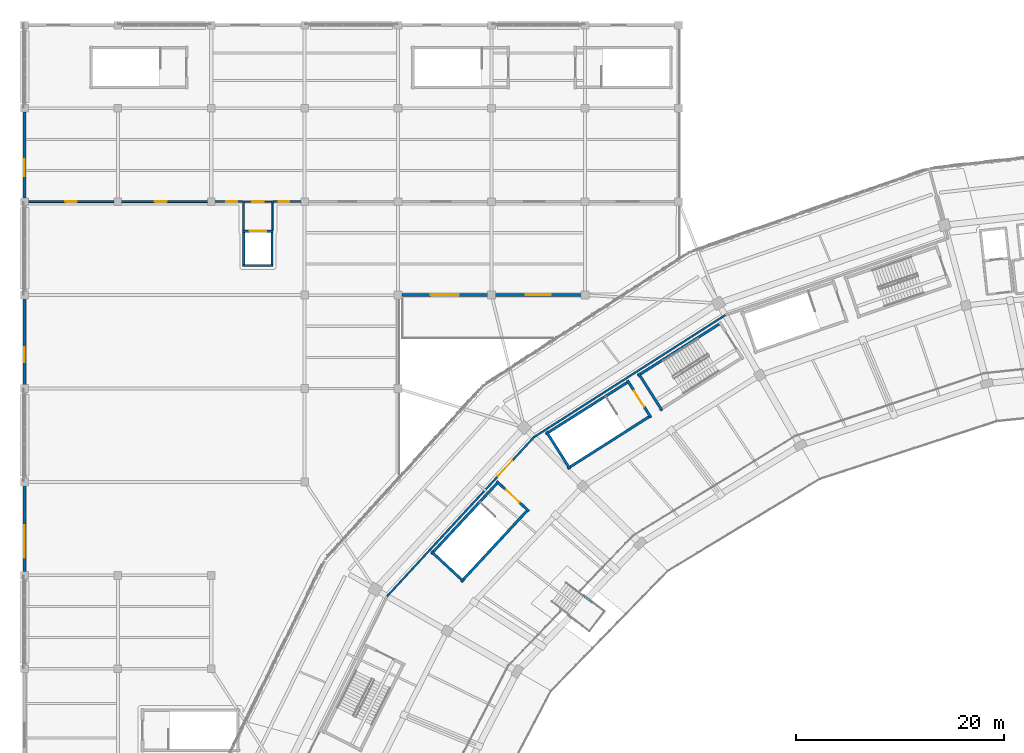
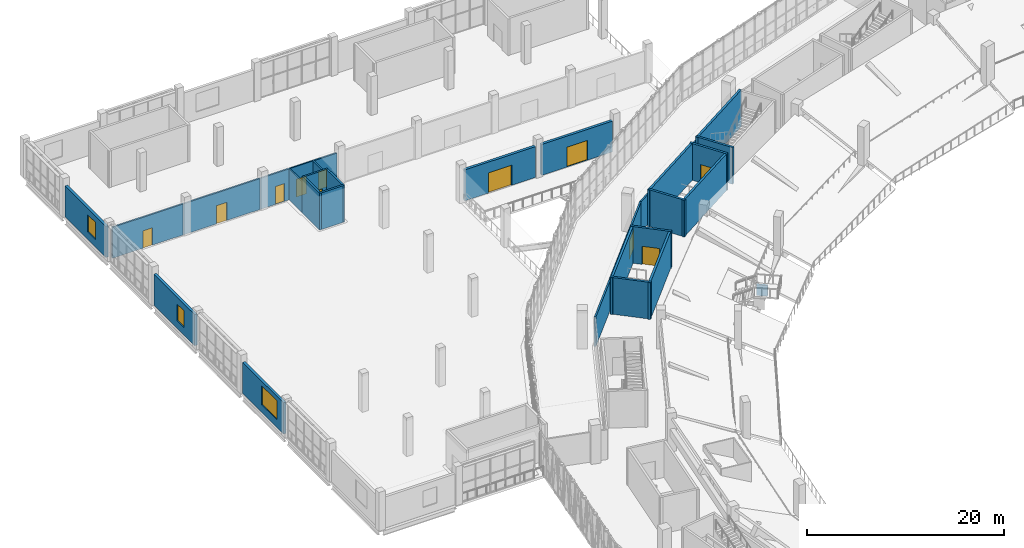
# One storey, part 98 of 152: 29 walls, 11 doors, 3 windows, 14 openings.
"""IFC4 building model written with IfcOpenShell, lengths in metres."""

import ifcopenshell
import ifcopenshell.guid

model = None  # the IFC model being written
_history = None  # IfcOwnerHistory: only IFC2X3 demands one
_inside = {}  # id of a spatial element -> (the spatial element, [elements in it])
_under = {}  # id of a project, library or spatial element -> (it, [spatial elements below it])
_declared = {}  # id of a project -> (the project, [libraries it declares])
_typed = {}  # id of a type object -> (the type object, [elements of that type])
_made_of = {}  # id of a material, layer set ... -> (it, [elements and type objects made of it])


def new_model(schema):
    """Start an empty IFC model of exactly this schema.

    Asked for "IFC4X3", IfcOpenShell would pick the latest addendum, in which some entities
    have other attributes; the version numbers below select the first issue.
    IFC2X3 requires an IfcOwnerHistory on every rooted entity: one is made here for all.
    """
    global model, _history
    if schema == "IFC4X3":
        model = ifcopenshell.file(schema_version=(4, 3, 0, 0))
    else:
        model = ifcopenshell.file(schema=schema)
    _inside.clear()
    _under.clear()
    _declared.clear()
    _typed.clear()
    _made_of.clear()
    _history = None
    if model.schema == "IFC2X3":
        org = make("IfcOrganization", Name="unknown")
        user = make(
            "IfcPersonAndOrganization",
            ThePerson=make("IfcPerson", FamilyName="unknown"),
            TheOrganization=org,
        )
        app = make(
            "IfcApplication",
            ApplicationDeveloper=org,
            Version="unknown",
            ApplicationFullName="unknown",
            ApplicationIdentifier="unknown",
        )
        _history = make(
            "IfcOwnerHistory",
            OwningUser=user,
            OwningApplication=app,
            ChangeAction="ADDED",
            CreationDate=0,
        )
    return model


def make(cls, **values):
    """One entity of the class cls with the attributes given. An attribute that is None is left unset."""
    return model.create_entity(
        cls, **{name: value for name, value in values.items() if value is not None}
    )


def rooted(cls, **values):
    """An entity with a GlobalId (a new one), such as an element, a storey or a relation."""
    return make(cls, GlobalId=ifcopenshell.guid.new(), OwnerHistory=_history, **values)


def si_unit(unit_type, name, prefix=None):
    """IfcSIUnit, for example si_unit("LENGTHUNIT", "METRE", prefix="MILLI")."""
    return make("IfcSIUnit", UnitType=unit_type, Prefix=prefix, Name=name)


def assignment(units):
    """IfcUnitAssignment: the units of a project."""
    return None if units is None else make("IfcUnitAssignment", Units=units)


def point(xyz):
    """IfcCartesianPoint."""
    return None if xyz is None else make("IfcCartesianPoint", Coordinates=xyz)


def direction(xyz):
    """IfcDirection."""
    return None if xyz is None else make("IfcDirection", DirectionRatios=xyz)


def frame(location, z_axis=None, x_axis=None):
    """IfcAxis2Placement3D, a coordinate frame: its origin and axes. An axis left out is left unset."""
    return make(
        "IfcAxis2Placement3D",
        Location=point(location),
        Axis=direction(z_axis),
        RefDirection=direction(x_axis),
    )


def frame_2d(location, x_axis=None):
    """IfcAxis2Placement2D, a coordinate frame in the plane: its origin and x axis."""
    return make(
        "IfcAxis2Placement2D", Location=point(location), RefDirection=direction(x_axis)
    )


def origin():
    """The frame at (0, 0, 0) with its axes left unset."""
    return frame((0.0, 0.0, 0.0))


def place(relative_to, where):
    """IfcLocalPlacement: puts the frame where relative to a parent placement (None: the world)."""
    return make(
        "IfcLocalPlacement", PlacementRelTo=relative_to, RelativePlacement=where
    )


def context(
    kind, dimensions, precision=None, world=None, true_north=None, identifier=None
):
    """IfcGeometricRepresentationContext, for example the 3D "Model" context."""
    return make(
        "IfcGeometricRepresentationContext",
        ContextIdentifier=identifier,
        ContextType=kind,
        CoordinateSpaceDimension=dimensions,
        Precision=precision,
        WorldCoordinateSystem=world,
        TrueNorth=true_north,
    )


def subcontext(parent, identifier, kind, view, scale=None):
    """IfcGeometricRepresentationSubContext, for example "Body" below "Model"."""
    return make(
        "IfcGeometricRepresentationSubContext",
        ContextIdentifier=identifier,
        ContextType=kind,
        ParentContext=parent,
        TargetScale=scale,
        TargetView=view,
    )


def project(units=None, contexts=None):
    """IfcProject with its units and contexts."""
    return rooted(
        "IfcProject",
        Name="project",
        RepresentationContexts=contexts,
        UnitsInContext=assignment(units),
    )


def spatial(cls, under=None, at=None, **own):
    """A site, building, storey or space (cls), placed at a placement, below another one or the project."""
    s = rooted(cls, ObjectPlacement=at, **own)
    if under is not None:
        _under.setdefault(under.id(), (under, []))[1].append(s)
    return s


def profile(cls, at=None, kind="AREA", **sizes):
    """A parametric profile (cls). Its sizes go by their IFC names, for example OverallWidth=200.0."""
    return make(cls, ProfileType=kind, Position=at, **sizes)


def rectangle(**sizes):
    """IfcRectangleProfileDef."""
    return profile("IfcRectangleProfileDef", **sizes)


def extrude(swept, where, along, depth):
    """IfcExtrudedAreaSolid: the profile swept, set in the frame where, extruded along a direction by depth."""
    return make(
        "IfcExtrudedAreaSolid",
        SweptArea=swept,
        Position=where,
        ExtrudedDirection=direction(along),
        Depth=depth,
    )


def shape(context_of_items, identifier, shape_type, items):
    """IfcShapeRepresentation: the items that make up one representation, for example the "Body"."""
    return make(
        "IfcShapeRepresentation",
        ContextOfItems=context_of_items,
        RepresentationIdentifier=identifier,
        RepresentationType=shape_type,
        Items=items,
    )


def material(Name=None, Category=None):
    """IfcMaterial."""
    return make("IfcMaterial", Name=Name, Category=Category)


def layer(
    of_material, thickness, ventilated=None, Name=None, Category=None, Priority=None
):
    """IfcMaterialLayer: one layer of a wall or slab, of a material (None: an air gap)."""
    return make(
        "IfcMaterialLayer",
        Material=of_material,
        LayerThickness=thickness,
        IsVentilated=ventilated,
        Name=Name,
        Category=Category,
        Priority=Priority,
    )


def layer_set(layers, Name=None):
    """IfcMaterialLayerSet."""
    return make("IfcMaterialLayerSet", MaterialLayers=layers, LayerSetName=Name)


def made_of(thing, what):
    """Note that an element or type object is made of a material, layer set ...; save() writes the relation."""
    if what is not None:
        _made_of.setdefault(what.id(), (what, []))[1].append(thing)
    return thing


def type_object(cls, material=None, **own):
    """A type object (cls), such as IfcWallType, which elements share."""
    return made_of(rooted(cls, **own), material)


def element(
    cls,
    number,
    at=None,
    inside=None,
    cuts=None,
    type_object=None,
    material=None,
    context=None,
    identifier="Body",
    shape_type=None,
    held_by="IfcProductDefinitionShape",
    body=None,
    shapes=None,
    **own,
):
    """One element of the class cls, such as IfcWall. Its Tag is "e" and its number.

    at: its placement. inside: the storey or other place that contains it. cuts: it is an
    opening in that element (IfcRelVoidsElement). A single representation is given by context,
    identifier, shape_type and body (its items); several are given by shapes. held_by: the class
    of the entity that holds the representations. save() writes the other relations.
    """
    e = rooted(cls, Tag="e%d" % number, ObjectPlacement=at, **own)
    if body is not None:
        shapes = [shape(context, identifier, shape_type, body)]
    if shapes is not None:
        e.Representation = make(held_by, Representations=shapes)
    if inside is not None:
        _inside.setdefault(inside.id(), (inside, []))[1].append(e)
    if cuts is not None:
        rooted(
            "IfcRelVoidsElement", RelatingBuildingElement=cuts, RelatedOpeningElement=e
        )
    if type_object is not None:
        _typed.setdefault(type_object.id(), (type_object, []))[1].append(e)
    return made_of(e, material)


def fill(opening, filler):
    """IfcRelFillsElement: the door or window that sits in an opening."""
    return rooted(
        "IfcRelFillsElement",
        RelatingOpeningElement=opening,
        RelatedBuildingElement=filler,
    )


def aggregate(whole, parts):
    """IfcRelAggregates: a whole, such as a stair, and the parts it consists of."""
    return rooted("IfcRelAggregates", RelatingObject=whole, RelatedObjects=parts)


def save(model, path):
    """Write the relations noted so far, then the file.

    IfcRelAggregates (storeys below a building ...), IfcRelContainedInSpatialStructure (elements
    in a storey), IfcRelDefinesByType, IfcRelAssociatesMaterial and IfcRelDeclares: one each for
    every whole, place, type object, material and project.
    """
    for whole, parts in _under.values():
        aggregate(whole, parts)
    for where, things in _inside.values():
        rooted(
            "IfcRelContainedInSpatialStructure",
            RelatedElements=things,
            RelatingStructure=where,
        )
    for kind, things in _typed.values():
        rooted("IfcRelDefinesByType", RelatedObjects=things, RelatingType=kind)
    for what, things in _made_of.values():
        rooted("IfcRelAssociatesMaterial", RelatedObjects=things, RelatingMaterial=what)
    for by, libraries in _declared.values():
        rooted("IfcRelDeclares", RelatingContext=by, RelatedDefinitions=libraries)
    model.write(path)


model = new_model("IFC4")

# Units and contexts
model_context = context("Model", 3, precision=1e-05, world=origin(), true_north=direction((0.0, 1.0)))
body_context = subcontext(model_context, "Body", "Model", "MODEL_VIEW")
ifc_project = project(units=[si_unit("LENGTHUNIT", "METRE"), si_unit("AREAUNIT", "SQUARE_METRE"), si_unit("VOLUMEUNIT", "CUBIC_METRE"), si_unit("PLANEANGLEUNIT", "RADIAN"), si_unit("MASSUNIT", "GRAM", prefix="KILO")], contexts=[model_context])

# Site, building, storey
site_placement = place(None, origin())
site = spatial("IfcSite", under=ifc_project, at=site_placement, CompositionType="ELEMENT")
building_placement = place(site_placement, origin())
building = spatial("IfcBuilding", under=site, at=building_placement, Name="Zevraka Park Crest Stadium", CompositionType="ELEMENT")
storey_placement = place(building_placement, frame((0.0, 0.0, 15.0)))
storey = spatial("IfcBuildingStorey", under=building, at=storey_placement, Name="L03", CompositionType="ELEMENT", Elevation=15.0)

# Wall, opening, window
ifc_material_1 = material(Name="Limestone and red clay brick masonry", Category="masonry")
ifc_layer_1 = layer(ifc_material_1, 0.300048828125)
ifc_layer_set_1 = layer_set([ifc_layer_1], Name="Limestone and red clay brick masonry")
wall_type_1 = type_object("IfcWallType", Name="EW02", PredefinedType="STANDARD", material=ifc_layer_set_1)
wall_1_placement = place(storey_placement, frame((0.0, 131.35009765625, 0.0), z_axis=(0.0, 0.0, 1.0), x_axis=(0.0, 1.0, 0.0)))
wall_1 = element("IfcWall", 1, at=wall_1_placement, inside=storey, type_object=wall_type_1, Name="Wing External Cavity Wall EW02 L03-NW-W-3", PredefinedType="STANDARD", context=body_context, shape_type="SweptSolid", body=[
    extrude(rectangle(XDim=8.2998046875, YDim=0.300048828125, at=frame_2d((4.14990234375, 0.0))), origin(), (0.0, 0.0, 1.0), 3.85693359375),
])
opening_1_placement = place(wall_1_placement, frame((1.35498046875, 0.0, 0.949951171875)))
opening_1 = element("IfcOpeningElement", 2, at=opening_1_placement, cuts=wall_1, Name="Opening WN36", PredefinedType="OPENING", context=body_context, shape_type="SweptSolid", body=[
    extrude(rectangle(XDim=3.10009765625, YDim=2.35009765625, at=frame_2d((1.550048828125, 1.175048828125))), frame((0.0, 0.159912109375, 0.0), z_axis=(0.0, -1.0, 0.0), x_axis=(1.0, 0.0, 0.0)), (0.0, 0.0, 1.0), 0.320068359375),
])
ifc_material_2 = material(Name="Solar-control laminated double glazing in aluminium frame", Category="aluminium")
window_type_1 = type_object("IfcWindowType", Name="WN36", PartitioningType="SINGLE_PANEL", PredefinedType="WINDOW", material=ifc_material_2)
window_1_placement = place(opening_1_placement, origin())
window_1 = element("IfcWindow", 3, at=window_1_placement, inside=storey, type_object=window_type_1, Name="Facade Casement Window WN36 W-L03-036", OverallHeight=2.35009765625, OverallWidth=3.10009765625, PartitioningType="SINGLE_PANEL", PredefinedType="WINDOW", context=body_context, shape_type="SweptSolid", body=[
    extrude(rectangle(XDim=3.10009765625, YDim=2.35009765625, at=frame_2d((1.550048828125, 1.175048828125))), frame((0.0, 0.030029296875, 0.0), z_axis=(0.0, -1.0, 0.0), x_axis=(1.0, 0.0, 0.0)), (0.0, 0.0, 1.0), 0.06005859375),
])
fill(opening_1, window_1)

wall_2_placement = place(storey_placement, frame((0.0, 149.35009765625, 0.0), z_axis=(0.0, 0.0, 1.0), x_axis=(0.0, 1.0, 0.0)))
wall_2 = element("IfcWall", 4, at=wall_2_placement, inside=storey, type_object=wall_type_1, Name="Wing External Cavity Wall EW02 L03-NW-W-5", PredefinedType="STANDARD", context=body_context, shape_type="SweptSolid", body=[
    extrude(rectangle(XDim=8.2998046875, YDim=0.300048828125, at=frame_2d((4.14990234375, 0.0))), origin(), (0.0, 0.0, 1.0), 3.85693359375),
])
opening_2_placement = place(wall_2_placement, frame((2.1650390625, 0.0, 0.949951171875)))
opening_2 = element("IfcOpeningElement", 5, at=opening_2_placement, cuts=wall_2, Name="Opening WN37", PredefinedType="OPENING", context=body_context, shape_type="SweptSolid", body=[
    extrude(rectangle(XDim=1.47998046875, YDim=2.050048828125, at=frame_2d((0.739990234375, 1.02490234375))), frame((0.0, 0.159912109375, 0.0), z_axis=(0.0, -1.0, 0.0), x_axis=(1.0, 0.0, 0.0)), (0.0, 0.0, 1.0), 0.320068359375),
])
ifc_material_3 = material(Name="Solar-control laminated double glazing in aluminium frame", Category="aluminium")
window_type_2 = type_object("IfcWindowType", Name="WN37", PartitioningType="SINGLE_PANEL", PredefinedType="WINDOW", material=ifc_material_3)
window_2_placement = place(opening_2_placement, origin())
window_2 = element("IfcWindow", 6, at=window_2_placement, inside=storey, type_object=window_type_2, Name="Facade Casement Window WN37 W-L03-037", OverallHeight=2.050048828125, OverallWidth=1.47998046875, PartitioningType="SINGLE_PANEL", PredefinedType="WINDOW", context=body_context, shape_type="SweptSolid", body=[
    extrude(rectangle(XDim=1.47998046875, YDim=2.050048828125, at=frame_2d((0.739990234375, 1.02490234375))), frame((0.0, 0.030029296875, 0.0), z_axis=(0.0, -1.0, 0.0), x_axis=(1.0, 0.0, 0.0)), (0.0, 0.0, 1.0), 0.06005859375),
])
fill(opening_2, window_2)

wall_3_placement = place(storey_placement, frame((0.0, 167.35009765625, 0.0), z_axis=(0.0, 0.0, 1.0), x_axis=(0.0, 1.0, 0.0)))
wall_3 = element("IfcWall", 7, at=wall_3_placement, inside=storey, type_object=wall_type_1, Name="Wing External Cavity Wall EW02 L03-NW-W-7", PredefinedType="STANDARD", context=body_context, shape_type="SweptSolid", body=[
    extrude(rectangle(XDim=8.2998046875, YDim=0.300048828125, at=frame_2d((4.14990234375, 0.0))), origin(), (0.0, 0.0, 1.0), 3.85693359375),
])
opening_3_placement = place(wall_3_placement, frame((2.094970703125, 0.0, 0.949951171875)))
opening_3 = element("IfcOpeningElement", 8, at=opening_3_placement, cuts=wall_3, Name="Opening WN38", PredefinedType="OPENING", context=body_context, shape_type="SweptSolid", body=[
    extrude(rectangle(XDim=1.6201171875, YDim=2.1201171875, at=frame_2d((0.81005859375, 1.06005859375))), frame((0.0, 0.159912109375, 0.0), z_axis=(0.0, -1.0, 0.0), x_axis=(1.0, 0.0, 0.0)), (0.0, 0.0, 1.0), 0.320068359375),
])
ifc_material_4 = material(Name="Solar-control laminated double glazing in aluminium frame", Category="aluminium")
window_type_3 = type_object("IfcWindowType", Name="WN38", PartitioningType="SINGLE_PANEL", PredefinedType="WINDOW", material=ifc_material_4)
window_3_placement = place(opening_3_placement, origin())
window_3 = element("IfcWindow", 9, at=window_3_placement, inside=storey, type_object=window_type_3, Name="Facade Casement Window WN38 W-L03-038", OverallHeight=2.1201171875, OverallWidth=1.6201171875, PartitioningType="SINGLE_PANEL", PredefinedType="WINDOW", context=body_context, shape_type="SweptSolid", body=[
    extrude(rectangle(XDim=1.6201171875, YDim=2.1201171875, at=frame_2d((0.81005859375, 1.06005859375))), frame((0.0, 0.030029296875, 0.0), z_axis=(0.0, -1.0, 0.0), x_axis=(1.0, 0.0, 0.0)), (0.0, 0.0, 1.0), 0.06005859375),
])
fill(opening_3, window_3)

# Wall, opening, door
wall_4_placement = place(storey_placement, frame((53.64990234375, 158.0, 0.0), z_axis=(0.0, 0.0, 1.0), x_axis=(-1.0, 0.0, 0.0)))
wall_4 = element("IfcWall", 10, at=wall_4_placement, inside=storey, type_object=wall_type_1, Name="Wing External Cavity Wall EW02 L03-NW-VER2-2", PredefinedType="STANDARD", context=body_context, shape_type="SweptSolid", body=[
    extrude(rectangle(XDim=8.2998046875, YDim=0.300048828125, at=frame_2d((4.14990234375, 0.0))), origin(), (0.0, 0.0, 1.0), 3.823486328125),
])
opening_4_placement = place(wall_4_placement, frame((2.949951171875, 0.0, 0.0)))
opening_4 = element("IfcOpeningElement", 11, at=opening_4_placement, cuts=wall_4, Name="Opening D-L03-VER-03", PredefinedType="OPENING", context=body_context, shape_type="SweptSolid", body=[
    extrude(rectangle(XDim=2.39990234375, YDim=2.449951171875, at=frame_2d((1.199951171875, 1.22509765625))), frame((0.0, 0.159912109375, 0.0), z_axis=(0.0, -1.0, 0.0), x_axis=(1.0, 0.0, 0.0)), (0.0, 0.0, 1.0), 0.320068359375),
])
ifc_material_5 = material(Name="Thermally broken architectural aluminium and safety glass", Category="aluminium")
door_type_1 = type_object("IfcDoorType", Name="ED07", OperationType="NOTDEFINED", PredefinedType="DOOR", material=ifc_material_5)
door_1_placement = place(opening_4_placement, origin())
door_1 = element("IfcDoor", 12, at=door_1_placement, inside=storey, type_object=door_type_1, Name="Outdoor Veranda Access Door D-L03-VER-03", OperationType="DOUBLE_DOOR_SINGLE_SWING", OverallHeight=2.449951171875, OverallWidth=2.39990234375, PredefinedType="DOOR", context=body_context, shape_type="SweptSolid", body=[
    extrude(rectangle(XDim=2.39990234375, YDim=2.449951171875, at=frame_2d((1.199951171875, 1.22509765625))), frame((0.0, 0.02490234375, 0.0), z_axis=(0.0, -1.0, 0.0), x_axis=(1.0, 0.0, 0.0)), (0.0, 0.0, 1.0), 0.050048828125),
])
fill(opening_4, door_1)

wall_5_placement = place(storey_placement, frame((44.64990234375, 158.0, 0.0), z_axis=(0.0, 0.0, 1.0), x_axis=(-1.0, 0.0, 0.0)))
wall_5 = element("IfcWall", 13, at=wall_5_placement, inside=storey, type_object=wall_type_1, Name="Wing External Cavity Wall EW02 L03-NW-VER2-3", PredefinedType="STANDARD", context=body_context, shape_type="SweptSolid", body=[
    extrude(rectangle(XDim=8.2998046875, YDim=0.300048828125, at=frame_2d((4.14990234375, 0.0))), origin(), (0.0, 0.0, 1.0), 3.823486328125),
])
opening_5_placement = place(wall_5_placement, frame((2.800048828125, 0.0, 0.0)))
opening_5 = element("IfcOpeningElement", 14, at=opening_5_placement, cuts=wall_5, Name="Opening D-L03-VER-04", PredefinedType="OPENING", context=body_context, shape_type="SweptSolid", body=[
    extrude(rectangle(XDim=2.699951171875, YDim=2.5, at=frame_2d((1.35009765625, 1.25))), frame((0.0, 0.159912109375, 0.0), z_axis=(0.0, -1.0, 0.0), x_axis=(1.0, 0.0, 0.0)), (0.0, 0.0, 1.0), 0.320068359375),
])
ifc_material_6 = material(Name="Thermally broken architectural aluminium and safety glass", Category="aluminium")
door_type_2 = type_object("IfcDoorType", Name="ED08", OperationType="NOTDEFINED", PredefinedType="DOOR", material=ifc_material_6)
door_2_placement = place(opening_5_placement, origin())
door_2 = element("IfcDoor", 15, at=door_2_placement, inside=storey, type_object=door_type_2, Name="Outdoor Veranda Access Door D-L03-VER-04", OperationType="DOUBLE_DOOR_SINGLE_SWING", OverallHeight=2.5, OverallWidth=2.699951171875, PredefinedType="DOOR", context=body_context, shape_type="SweptSolid", body=[
    extrude(rectangle(XDim=2.699951171875, YDim=2.5, at=frame_2d((1.35009765625, 1.25))), frame((0.0, 0.02490234375, 0.0), z_axis=(0.0, -1.0, 0.0), x_axis=(1.0, 0.0, 0.0)), (0.0, 0.0, 1.0), 0.050048828125),
])
fill(opening_5, door_2)

# Walls
ifc_material_7 = material(Name="Fire-rated twin-stud acoustic drywall", Category="other")
ifc_layer_2 = layer(ifc_material_7, 0.159912109375)
ifc_layer_set_2 = layer_set([ifc_layer_2], Name="Fire-rated twin-stud acoustic drywall")
wall_type_2 = type_object("IfcWallType", Name="IW02", PredefinedType="PARTITIONING", material=ifc_layer_set_2)
for number, where, z_axis, x_axis, name in (
    (16, (23.889892578125, 164.25, 0.0), (0.0, 0.0, 1.0), (0.0, 1.0, 0.0), "Goods Lift Lobby Wall IW02 GL01 L03 LEFT"),
    (17, (21.110107421875, 164.25, 0.0), (0.0, 0.0, 1.0), (0.0, 1.0, 0.0), "Goods Lift Lobby Wall IW02 GL01 L03 RIGHT"),
):
    element("IfcWall", number, at=place(storey_placement, frame(where, z_axis=z_axis, x_axis=x_axis)), inside=storey, type_object=wall_type_2, Name=name, PredefinedType="PARTITIONING", context=body_context, shape_type="SweptSolid", body=[
        extrude(rectangle(XDim=2.75, YDim=0.159912109375, at=frame_2d((1.375, 0.0))), origin(), (0.0, 0.0, 1.0), 3.823486328125),
    ])

# Wall, opening, door
wall_6_placement = place(storey_placement, frame((23.889892578125, 167.0, 0.0), z_axis=(0.0, 0.0, 1.0), x_axis=(-1.0, 0.0, 0.0)))
wall_6 = element("IfcWall", 18, at=wall_6_placement, inside=storey, type_object=wall_type_2, Name="Goods Lift Lobby Wall IW02 GL01 L03 FRONT", PredefinedType="PARTITIONING", context=body_context, shape_type="SweptSolid", body=[
    extrude(rectangle(XDim=2.77978515625, YDim=0.159912109375, at=frame_2d((1.389892578125, 0.0))), origin(), (0.0, 0.0, 1.0), 3.823486328125),
])
opening_6_placement = place(wall_6_placement, frame((0.81494140625, 0.0, 0.0)))
opening_6 = element("IfcOpeningElement", 19, at=opening_6_placement, cuts=wall_6, Name="Opening D-L03-332", PredefinedType="OPENING", context=body_context, shape_type="SweptSolid", body=[
    extrude(rectangle(XDim=1.14990234375, YDim=2.199951171875, at=frame_2d((0.574951171875, 1.10009765625))), frame((0.0, 0.08984375, 0.0), z_axis=(0.0, -1.0, 0.0), x_axis=(1.0, 0.0, 0.0)), (0.0, 0.0, 1.0), 0.179931640625),
])
ifc_material_8 = material(Name="Solid-core hardwood timber leaf in steel frame", Category="steel")
door_type_3 = type_object("IfcDoorType", Name="DR03", OperationType="NOTDEFINED", PredefinedType="DOOR", material=ifc_material_8)
door_3_placement = place(opening_6_placement, origin())
door_3 = element("IfcDoor", 20, at=door_3_placement, inside=storey, type_object=door_type_3, Name="Goods Lift Lobby GL01 Door D-L03-332", OperationType="SINGLE_SWING_RIGHT", OverallHeight=2.199951171875, OverallWidth=1.14990234375, PredefinedType="DOOR", context=body_context, shape_type="SweptSolid", body=[
    extrude(rectangle(XDim=1.14990234375, YDim=2.199951171875, at=frame_2d((0.574951171875, 1.10009765625))), frame((0.0, 0.02490234375, 0.0), z_axis=(0.0, -1.0, 0.0), x_axis=(1.0, 0.0, 0.0)), (0.0, 0.0, 1.0), 0.050048828125),
])
fill(opening_6, door_3)

# Wall
ifc_material_9 = material(Name="Fire-rated twin-stud acoustic drywall", Category="other")
ifc_layer_3 = layer(ifc_material_9, 0.179931640625)
ifc_layer_set_3 = layer_set([ifc_layer_3], Name="Fire-rated twin-stud acoustic drywall")
wall_type_3 = type_object("IfcWallType", Name="IW06", PredefinedType="PARTITIONING", material=ifc_layer_set_3)
wall_7_placement = place(storey_placement, frame((67.510009765625, 156.069091796875, 0.0), z_axis=(0.0, 0.0, 1.0), x_axis=(-0.843035459997, -0.537857986077, 0.0)))
element("IfcWall", 21, at=wall_7_placement, inside=storey, type_object=wall_type_3, Name="Interior Partition IW06 Park View Supporter Bar L03", PredefinedType="PARTITIONING", context=body_context, shape_type="SweptSolid", body=[
    extrude(rectangle(XDim=21.859130859375, YDim=0.179931640625, at=frame_2d((10.9296875, 0.0))), origin(), (0.0, 0.0, 1.0), 3.6650390625),
])

# Wall, opening, door
wall_8_placement = place(storey_placement, frame((49.08203125, 144.31201171875, 0.0), z_axis=(0.0, 0.0, 1.0), x_axis=(-0.678220768878, -0.734858209903, 0.0)))
wall_8 = element("IfcWall", 22, at=wall_8_placement, inside=storey, type_object=wall_type_3, Name="Interior Partition IW06 Park View Supporter Bar L03", PredefinedType="PARTITIONING", context=body_context, shape_type="SweptSolid", body=[
    extrude(rectangle(XDim=20.850341796875, YDim=0.179931640625, at=frame_2d((10.42529296875, 0.0))), origin(), (0.0, 0.0, 1.0), 3.6650390625),
])
opening_7_placement = place(wall_8_placement, frame((3.096923828125, 0.0, 0.0)))
opening_7 = element("IfcOpeningElement", 23, at=opening_7_placement, cuts=wall_8, Name="Opening D-L03-443", PredefinedType="OPENING", context=body_context, shape_type="SweptSolid", body=[
    extrude(rectangle(XDim=2.0, YDim=2.300048828125, at=frame_2d((1.0, 1.14990234375))), frame((0.0, 0.099853515625, 0.0), z_axis=(0.0, -1.0, 0.0), x_axis=(1.0, 0.0, 0.0)), (0.0, 0.0, 1.0), 0.199951171875),
])
ifc_material_10 = material(Name="Solid-core hardwood timber leaf in steel frame", Category="steel")
door_type_4 = type_object("IfcDoorType", Name="DR16", OperationType="NOTDEFINED", PredefinedType="DOOR", material=ifc_material_10)
door_4_placement = place(opening_7_placement, origin())
door_4 = element("IfcDoor", 24, at=door_4_placement, inside=storey, type_object=door_type_4, Name="Park View Supporter Bar Door D-L03-443", OperationType="DOUBLE_DOOR_SINGLE_SWING", OverallHeight=2.300048828125, OverallWidth=2.0, PredefinedType="DOOR", context=body_context, shape_type="SweptSolid", body=[
    extrude(rectangle(XDim=2.0, YDim=2.300048828125, at=frame_2d((1.0, 1.14990234375))), frame((0.0, 0.02490234375, 0.0), z_axis=(0.0, -1.0, 0.0), x_axis=(1.0, 0.0, 0.0)), (0.0, 0.0, 1.0), 0.050048828125),
])
fill(opening_7, door_4)

wall_9_placement = place(storey_placement, frame((0.360107421875, 167.0, 0.0), z_axis=(0.0, 0.0, 1.0), x_axis=(1.0, 0.0, 0.0)))
wall_9 = element("IfcWall", 25, at=wall_9_placement, inside=storey, type_object=wall_type_3, Name="Interior Partition IW06 Garden-Court Veranda Viewing Lounge L03", PredefinedType="PARTITIONING", context=body_context, shape_type="SweptSolid", body=[
    extrude(rectangle(XDim=8.27978515625, YDim=0.179931640625, at=frame_2d((4.139892578125, 0.0))), origin(), (0.0, 0.0, 1.0), 3.823486328125),
])
opening_8_placement = place(wall_9_placement, frame((3.590087890625, 0.0, 0.0)))
opening_8 = element("IfcOpeningElement", 26, at=opening_8_placement, cuts=wall_9, Name="Opening D-L03-454", PredefinedType="OPENING", context=body_context, shape_type="SweptSolid", body=[
    extrude(rectangle(XDim=1.10009765625, YDim=2.14990234375, at=frame_2d((0.550048828125, 1.074951171875))), frame((0.0, 0.099853515625, 0.0), z_axis=(0.0, -1.0, 0.0), x_axis=(1.0, 0.0, 0.0)), (0.0, 0.0, 1.0), 0.199951171875),
])
ifc_material_11 = material(Name="Solid-core hardwood timber leaf in steel frame", Category="steel")
door_type_5 = type_object("IfcDoorType", Name="DR10", OperationType="NOTDEFINED", PredefinedType="DOOR", material=ifc_material_11)
door_5_placement = place(opening_8_placement, origin())
door_5 = element("IfcDoor", 27, at=door_5_placement, inside=storey, type_object=door_type_5, Name="Garden-Court Veranda Viewing Lounge Door D-L03-454", OperationType="SINGLE_SWING_LEFT", OverallHeight=2.14990234375, OverallWidth=1.10009765625, PredefinedType="DOOR", context=body_context, shape_type="SweptSolid", body=[
    extrude(rectangle(XDim=1.10009765625, YDim=2.14990234375, at=frame_2d((0.550048828125, 1.074951171875))), frame((0.0, 0.02490234375, 0.0), z_axis=(0.0, -1.0, 0.0), x_axis=(1.0, 0.0, 0.0)), (0.0, 0.0, 1.0), 0.050048828125),
])
fill(opening_8, door_5)

wall_10_placement = place(storey_placement, frame((8.625, 167.0, 0.0), z_axis=(0.0, 0.0, 1.0), x_axis=(1.0, 0.0, 0.0)))
wall_10 = element("IfcWall", 28, at=wall_10_placement, inside=storey, type_object=wall_type_3, Name="Interior Partition IW06 Garden-Court Veranda Viewing Lounge L03", PredefinedType="PARTITIONING", context=body_context, shape_type="SweptSolid", body=[
    extrude(rectangle(XDim=9.014892578125, YDim=0.179931640625, at=frame_2d((4.50732421875, 0.0))), origin(), (0.0, 0.0, 1.0), 3.823486328125),
])
opening_9_placement = place(wall_10_placement, frame((3.907958984375, 0.0, 0.0)))
opening_9 = element("IfcOpeningElement", 29, at=opening_9_placement, cuts=wall_10, Name="Opening D-L03-455", PredefinedType="OPENING", context=body_context, shape_type="SweptSolid", body=[
    extrude(rectangle(XDim=1.199951171875, YDim=2.25, at=frame_2d((0.60009765625, 1.125))), frame((0.0, 0.099853515625, 0.0), z_axis=(0.0, -1.0, 0.0), x_axis=(1.0, 0.0, 0.0)), (0.0, 0.0, 1.0), 0.199951171875),
])
ifc_material_12 = material(Name="Solid-core hardwood timber leaf in steel frame", Category="steel")
door_type_6 = type_object("IfcDoorType", Name="DR11", OperationType="NOTDEFINED", PredefinedType="DOOR", material=ifc_material_12)
door_6_placement = place(opening_9_placement, origin())
door_6 = element("IfcDoor", 30, at=door_6_placement, inside=storey, type_object=door_type_6, Name="Garden-Court Veranda Viewing Lounge Door D-L03-455", OperationType="SINGLE_SWING_RIGHT", OverallHeight=2.25, OverallWidth=1.199951171875, PredefinedType="DOOR", context=body_context, shape_type="SweptSolid", body=[
    extrude(rectangle(XDim=1.199951171875, YDim=2.25, at=frame_2d((0.60009765625, 1.125))), frame((0.0, 0.02490234375, 0.0), z_axis=(0.0, -1.0, 0.0), x_axis=(1.0, 0.0, 0.0)), (0.0, 0.0, 1.0), 0.050048828125),
])
fill(opening_9, door_6)

wall_11_placement = place(storey_placement, frame((17.625, 167.0, 0.0), z_axis=(0.0, 0.0, 1.0), x_axis=(1.0, 0.0, 0.0)))
wall_11 = element("IfcWall", 31, at=wall_11_placement, inside=storey, type_object=wall_type_3, Name="Interior Partition IW06 Garden-Court Veranda Viewing Lounge L03", PredefinedType="PARTITIONING", context=body_context, shape_type="SweptSolid", body=[
    extrude(rectangle(XDim=3.405029296875, YDim=0.179931640625, at=frame_2d((1.70263671875, 0.0))), origin(), (0.0, 0.0, 1.0), 3.823486328125),
])
opening_10_placement = place(wall_11_placement, frame((1.841064453125, 0.0, 0.0)))
opening_10 = element("IfcOpeningElement", 32, at=opening_10_placement, cuts=wall_11, Name="Opening D-L03-456", PredefinedType="OPENING", context=body_context, shape_type="SweptSolid", body=[
    extrude(rectangle(XDim=1.02001953125, YDim=2.199951171875, at=frame_2d((0.510009765625, 1.10009765625))), frame((0.0, 0.099853515625, 0.0), z_axis=(0.0, -1.0, 0.0), x_axis=(1.0, 0.0, 0.0)), (0.0, 0.0, 1.0), 0.199951171875),
])
ifc_material_13 = material(Name="Solid-core hardwood timber leaf in steel frame", Category="steel")
door_type_7 = type_object("IfcDoorType", Name="DR21", OperationType="NOTDEFINED", PredefinedType="DOOR", material=ifc_material_13)
door_7_placement = place(opening_10_placement, origin())
door_7 = element("IfcDoor", 33, at=door_7_placement, inside=storey, type_object=door_type_7, Name="Garden-Court Veranda Viewing Lounge Door D-L03-456", OperationType="SINGLE_SWING_LEFT", OverallHeight=2.199951171875, OverallWidth=1.02001953125, PredefinedType="DOOR", context=body_context, shape_type="SweptSolid", body=[
    extrude(rectangle(XDim=1.02001953125, YDim=2.199951171875, at=frame_2d((0.510009765625, 1.10009765625))), frame((0.0, 0.02490234375, 0.0), z_axis=(0.0, -1.0, 0.0), x_axis=(1.0, 0.0, 0.0)), (0.0, 0.0, 1.0), 0.050048828125),
])
fill(opening_10, door_7)

wall_12_placement = place(storey_placement, frame((23.969970703125, 167.0, 0.0), z_axis=(0.0, 0.0, 1.0), x_axis=(1.0, 0.0, 0.0)))
wall_12 = element("IfcWall", 34, at=wall_12_placement, inside=storey, type_object=wall_type_3, Name="Interior Partition IW06 Garden-Court Veranda Viewing Lounge L03", PredefinedType="PARTITIONING", context=body_context, shape_type="SweptSolid", body=[
    extrude(rectangle(XDim=2.669921875, YDim=0.179931640625, at=frame_2d((1.3349609375, 0.0))), origin(), (0.0, 0.0, 1.0), 3.823486328125),
])
opening_11_placement = place(wall_12_placement, frame((0.52294921875, 0.0, 0.0)))
opening_11 = element("IfcOpeningElement", 35, at=opening_11_placement, cuts=wall_12, Name="Opening D-L03-457", PredefinedType="OPENING", context=body_context, shape_type="SweptSolid", body=[
    extrude(rectangle(XDim=1.02001953125, YDim=2.199951171875, at=frame_2d((0.510009765625, 1.10009765625))), frame((0.0, 0.099853515625, 0.0), z_axis=(0.0, -1.0, 0.0), x_axis=(1.0, 0.0, 0.0)), (0.0, 0.0, 1.0), 0.199951171875),
])
door_8_placement = place(opening_11_placement, origin())
door_8 = element("IfcDoor", 36, at=door_8_placement, inside=storey, type_object=door_type_7, Name="Garden-Court Veranda Viewing Lounge Door D-L03-457", OperationType="SINGLE_SWING_RIGHT", OverallHeight=2.199951171875, OverallWidth=1.02001953125, PredefinedType="DOOR", context=body_context, shape_type="SweptSolid", body=[
    extrude(rectangle(XDim=1.02001953125, YDim=2.199951171875, at=frame_2d((0.510009765625, 1.10009765625))), frame((0.0, 0.02490234375, 0.0), z_axis=(0.0, -1.0, 0.0), x_axis=(1.0, 0.0, 0.0)), (0.0, 0.0, 1.0), 0.050048828125),
])
fill(opening_11, door_8)

# Walls
ifc_material_14 = material(Name="Concrete C40/50", Category="concrete")
ifc_layer_4 = layer(ifc_material_14, 0.25)
ifc_layer_set_4 = layer_set([ifc_layer_4], Name="Concrete C40/50")
wall_type_4 = type_object("IfcWallType", Name="SW01", PredefinedType="SHEAR", material=ifc_layer_set_4)
wall_13_placement = place(storey_placement, frame((67.147216796875, 155.343505859375, 0.0), z_axis=(0.0, 0.0, 1.0), x_axis=(-0.844391246241, -0.535727004427, 0.0)))
element("IfcWall", 37, at=wall_13_placement, inside=storey, type_object=wall_type_4, Name="Stair Core Shear Wall SW01 ST09 L03 left", PredefinedType="SHEAR", context=body_context, shape_type="SweptSolid", body=[
    extrude(rectangle(XDim=9.550048828125, YDim=0.25, at=frame_2d((4.77490234375, 0.0))), origin(), (0.0, 0.0, 1.0), 4.5400390625),
])
wall_14_placement = place(storey_placement, frame((59.1484375, 150.469970703125, 0.0), z_axis=(0.0, 0.0, 1.0), x_axis=(0.53572544074, -0.844392238325, 0.0)))
element("IfcWall", 38, at=wall_14_placement, inside=storey, type_object=wall_type_4, Name="Stair Core Shear Wall SW01 ST09 L03 far", PredefinedType="SHEAR", context=body_context, shape_type="SweptSolid", body=[
    extrude(rectangle(XDim=4.260009765625, YDim=0.25, at=frame_2d((2.1298828125, 0.0))), origin(), (0.0, 0.0, 1.0), 4.5400390625),
])
wall_15_placement = place(storey_placement, frame((45.6943359375, 140.047607421875, 0.0), z_axis=(0.0, 0.0, 1.0), x_axis=(-0.680257902718, -0.7329728411, 0.0)))
element("IfcWall", 39, at=wall_15_placement, inside=storey, type_object=wall_type_4, Name="Stair Core Shear Wall SW01 ST10 L03 left", PredefinedType="SHEAR", context=body_context, shape_type="SweptSolid", body=[
    extrude(rectangle(XDim=9.5498046875, YDim=0.25, at=frame_2d((4.77490234375, 0.0))), origin(), (0.0, 0.0, 1.0), 4.5400390625),
])
wall_16_placement = place(storey_placement, frame((42.0712890625, 130.381103515625, 0.0), z_axis=(0.0, 0.0, 1.0), x_axis=(0.680245155897, 0.732984670971, 0.0)))
element("IfcWall", 40, at=wall_16_placement, inside=storey, type_object=wall_type_4, Name="Stair Core Shear Wall SW01 ST10 L03 right", PredefinedType="SHEAR", context=body_context, shape_type="SweptSolid", body=[
    extrude(rectangle(XDim=9.550048828125, YDim=0.25, at=frame_2d((4.77490234375, 0.0))), origin(), (0.0, 0.0, 1.0), 4.5400390625),
])

# Wall, opening, door
wall_17_placement = place(storey_placement, frame((48.607177734375, 137.173828125, 0.0), z_axis=(0.0, 0.0, 1.0), x_axis=(-0.73295064559, 0.680281817433, 0.0)))
wall_17 = element("IfcWall", 41, at=wall_17_placement, inside=storey, type_object=wall_type_4, Name="Stair Core Shear Wall SW01 ST10 L03 near", PredefinedType="SHEAR", context=body_context, shape_type="SweptSolid", body=[
    extrude(rectangle(XDim=4.260009765625, YDim=0.25, at=frame_2d((2.1298828125, 0.0))), origin(), (0.0, 0.0, 1.0), 4.5400390625),
])
opening_12_placement = place(wall_17_placement, frame((1.22998046875, 0.0, 0.0)))
opening_12 = element("IfcOpeningElement", 42, at=opening_12_placement, cuts=wall_17, Name="Opening D-L03-061", PredefinedType="OPENING", context=body_context, shape_type="SweptSolid", body=[
    extrude(rectangle(XDim=1.800048828125, YDim=2.25, at=frame_2d((0.89990234375, 1.125))), frame((0.0, 0.135009765625, 0.0), z_axis=(0.0, -1.0, 0.0), x_axis=(1.0, 0.0, 0.0)), (0.0, 0.0, 1.0), 0.27001953125),
])
ifc_material_15 = material(Name="Solid-core hardwood timber leaf in steel frame", Category="steel")
door_type_8 = type_object("IfcDoorType", Name="DR04", OperationType="NOTDEFINED", PredefinedType="DOOR", material=ifc_material_15)
door_9_placement = place(opening_12_placement, origin())
door_9 = element("IfcDoor", 43, at=door_9_placement, inside=storey, type_object=door_type_8, Name="Protected Stair Entry Door ST10 L03", OperationType="DOUBLE_DOOR_SINGLE_SWING", OverallHeight=2.25, OverallWidth=1.800048828125, PredefinedType="DOOR", context=body_context, shape_type="SweptSolid", body=[
    extrude(rectangle(XDim=1.800048828125, YDim=2.25, at=frame_2d((0.89990234375, 1.125))), frame((0.0, 0.02490234375, 0.0), z_axis=(0.0, -1.0, 0.0), x_axis=(1.0, 0.0, 0.0)), (0.0, 0.0, 1.0), 0.050048828125),
])
fill(opening_12, door_9)

# Walls
wall_18_placement = place(storey_placement, frame((39.19921875, 133.299072265625, 0.0), z_axis=(0.0, 0.0, 1.0), x_axis=(0.732977166505, -0.680253242096, 0.0)))
element("IfcWall", 44, at=wall_18_placement, inside=storey, type_object=wall_type_4, Name="Stair Core Shear Wall SW01 ST10 L03 far", PredefinedType="SHEAR", context=body_context, shape_type="SweptSolid", body=[
    extrude(rectangle(XDim=4.260009765625, YDim=0.25, at=frame_2d((2.1298828125, 0.0))), origin(), (0.0, 0.0, 1.0), 4.5400390625),
])
for number, where, z_axis, x_axis, name in (
    (45, (58.28125, 149.718505859375, 0.0), (0.0, 0.0, 1.0), (-0.844391246241, -0.535727004427, 0.0), "Stair Core Shear Wall SW01 ST28 L03 left"),
    (46, (52.3173828125, 141.292236328125, 0.0), (0.0, 0.0, 1.0), (0.844391246241, 0.535727004427, 0.0), "Stair Core Shear Wall SW01 ST28 L03 right"),
):
    element("IfcWall", number, at=place(storey_placement, frame(where, z_axis=z_axis, x_axis=x_axis)), inside=storey, type_object=wall_type_4, Name=name, PredefinedType="SHEAR", context=body_context, shape_type="SweptSolid", body=[
        extrude(rectangle(XDim=9.550048828125, YDim=0.25, at=frame_2d((4.77490234375, 0.0))), origin(), (0.0, 0.0, 1.0), 4.5400390625),
    ])

# Wall, opening, door
wall_19_placement = place(storey_placement, frame((60.36669921875, 146.197998046875, 0.0), z_axis=(0.0, 0.0, 1.0), x_axis=(-0.535684577572, 0.844418162613, 0.0)))
wall_19 = element("IfcWall", 47, at=wall_19_placement, inside=storey, type_object=wall_type_4, Name="Stair Core Shear Wall SW01 ST28 L03 near", PredefinedType="SHEAR", context=body_context, shape_type="SweptSolid", body=[
    extrude(rectangle(XDim=4.260009765625, YDim=0.25, at=frame_2d((2.1298828125, 0.0))), origin(), (0.0, 0.0, 1.0), 4.5400390625),
])
opening_13_placement = place(wall_19_placement, frame((1.22998046875, 0.0, 0.0)))
opening_13 = element("IfcOpeningElement", 48, at=opening_13_placement, cuts=wall_19, Name="Opening D-L03-164", PredefinedType="OPENING", context=body_context, shape_type="SweptSolid", body=[
    extrude(rectangle(XDim=1.800048828125, YDim=2.25, at=frame_2d((0.89990234375, 1.125))), frame((0.0, 0.135009765625, 0.0), z_axis=(0.0, -1.0, 0.0), x_axis=(1.0, 0.0, 0.0)), (0.0, 0.0, 1.0), 0.27001953125),
])
door_10_placement = place(opening_13_placement, origin())
door_10 = element("IfcDoor", 49, at=door_10_placement, inside=storey, type_object=door_type_8, Name="Protected Stair Entry Door ST28 L03", OperationType="DOUBLE_DOOR_SINGLE_SWING", OverallHeight=2.25, OverallWidth=1.800048828125, PredefinedType="DOOR", context=body_context, shape_type="SweptSolid", body=[
    extrude(rectangle(XDim=1.800048828125, YDim=2.25, at=frame_2d((0.89990234375, 1.125))), frame((0.0, 0.02490234375, 0.0), z_axis=(0.0, -1.0, 0.0), x_axis=(1.0, 0.0, 0.0)), (0.0, 0.0, 1.0), 0.050048828125),
])
fill(opening_13, door_10)

# Walls
wall_20_placement = place(storey_placement, frame((50.282470703125, 144.844970703125, 0.0), z_axis=(0.0, 0.0, 1.0), x_axis=(0.535684577572, -0.844418162613, 0.0)))
element("IfcWall", 50, at=wall_20_placement, inside=storey, type_object=wall_type_4, Name="Stair Core Shear Wall SW01 ST28 L03 far", PredefinedType="SHEAR", context=body_context, shape_type="SweptSolid", body=[
    extrude(rectangle(XDim=4.260009765625, YDim=0.25, at=frame_2d((2.1298828125, 0.0))), origin(), (0.0, 0.0, 1.0), 4.5400390625),
])
ifc_material_16 = material(Name="Concrete C40/50", Category="concrete")
ifc_layer_5 = layer(ifc_material_16, 0.219970703125)
ifc_layer_set_5 = layer_set([ifc_layer_5], Name="Concrete C40/50")
wall_type_5 = type_object("IfcWallType", Name="SW02", PredefinedType="SHEAR", material=ifc_layer_set_5)
wall_21_placement = place(storey_placement, frame((53.8740234375, 129.06103515625, -0.300048828125), z_axis=(0.0, 0.0, 1.0), x_axis=(0.792983350532, -0.609243305896, 0.0)))
element("IfcWall", 51, at=wall_21_placement, inside=storey, type_object=wall_type_5, Name="Vomitory Portal Support Wall SW02 VS-12-2", PredefinedType="SHEAR", context=body_context, shape_type="SweptSolid", body=[
    extrude(rectangle(XDim=1.135986328125, YDim=0.219970703125, at=frame_2d((0.56787109375, 0.0))), origin(), (0.0, 0.0, 1.0), 1.320068359375),
])
wall_22_placement = place(storey_placement, frame((21.030029296875, 160.840087890625, 0.0), z_axis=(0.0, 0.0, 1.0), x_axis=(1.0, 0.0, 0.0)))
element("IfcWall", 52, at=wall_22_placement, inside=storey, type_object=wall_type_5, Name="Lift Shaft Shear Wall SW02 GL01 L03-1", PredefinedType="SHEAR", context=body_context, shape_type="SweptSolid", body=[
    extrude(rectangle(XDim=2.93994140625, YDim=0.219970703125, at=frame_2d((1.469970703125, 0.0))), origin(), (0.0, 0.0, 1.0), 4.5400390625),
])
wall_23_placement = place(storey_placement, frame((23.860107421875, 160.72998046875, 0.0), z_axis=(0.0, 0.0, 1.0), x_axis=(0.0, 1.0, 0.0)))
element("IfcWall", 53, at=wall_23_placement, inside=storey, type_object=wall_type_5, Name="Lift Shaft Shear Wall SW02 GL01 L03-2", PredefinedType="SHEAR", context=body_context, shape_type="SweptSolid", body=[
    extrude(rectangle(XDim=3.5400390625, YDim=0.219970703125, at=frame_2d((1.77001953125, 0.0))), origin(), (0.0, 0.0, 1.0), 4.5400390625),
])

# Wall, opening, door
wall_24_placement = place(storey_placement, frame((23.969970703125, 164.159912109375, 0.0), z_axis=(0.0, 0.0, 1.0), x_axis=(-1.0, 0.0, 0.0)))
wall_24 = element("IfcWall", 54, at=wall_24_placement, inside=storey, type_object=wall_type_5, Name="Lift Shaft Shear Wall SW02 GL01 L03-3", PredefinedType="SHEAR", context=body_context, shape_type="SweptSolid", body=[
    extrude(rectangle(XDim=2.93994140625, YDim=0.219970703125, at=frame_2d((1.469970703125, 0.0))), origin(), (0.0, 0.0, 1.0), 4.5400390625),
])
opening_14_placement = place(wall_24_placement, frame((0.669921875, 0.0, 0.0)))
opening_14 = element("IfcOpeningElement", 55, at=opening_14_placement, cuts=wall_24, Name="Opening LD-GL01-L03", PredefinedType="OPENING", context=body_context, shape_type="SweptSolid", body=[
    extrude(rectangle(XDim=1.60009765625, YDim=2.300048828125, at=frame_2d((0.800048828125, 1.14990234375))), frame((0.0, 0.119873046875, 0.0), z_axis=(0.0, -1.0, 0.0), x_axis=(1.0, 0.0, 0.0)), (0.0, 0.0, 1.0), 0.239990234375),
])
ifc_material_17 = material(Name="Brushed stainless steel lift landing doors", Category="steel")
door_type_9 = type_object("IfcDoorType", Name="LD03", OperationType="NOTDEFINED", PredefinedType="DOOR", material=ifc_material_17)
door_11_placement = place(opening_14_placement, origin())
door_11 = element("IfcDoor", 56, at=door_11_placement, inside=storey, type_object=door_type_9, Name="Lift Sliding Landing Door LD-GL01-L03", OperationType="SLIDING_TO_LEFT", OverallHeight=2.300048828125, OverallWidth=1.60009765625, PredefinedType="DOOR", context=body_context, shape_type="SweptSolid", body=[
    extrude(rectangle(XDim=1.60009765625, YDim=2.300048828125, at=frame_2d((0.800048828125, 1.14990234375))), frame((0.0, 0.02490234375, 0.0), z_axis=(0.0, -1.0, 0.0), x_axis=(1.0, 0.0, 0.0)), (0.0, 0.0, 1.0), 0.050048828125),
])
fill(opening_14, door_11)

# Wall
wall_25_placement = place(storey_placement, frame((21.139892578125, 164.27001953125, 0.0), z_axis=(0.0, 0.0, 1.0), x_axis=(0.0, -1.0, 0.0)))
element("IfcWall", 57, at=wall_25_placement, inside=storey, type_object=wall_type_5, Name="Lift Shaft Shear Wall SW02 GL01 L03-4", PredefinedType="SHEAR", context=body_context, shape_type="SweptSolid", body=[
    extrude(rectangle(XDim=3.5400390625, YDim=0.219970703125, at=frame_2d((1.77001953125, 0.0))), origin(), (0.0, 0.0, 1.0), 4.5400390625),
])

save(model, "model.ifc")
